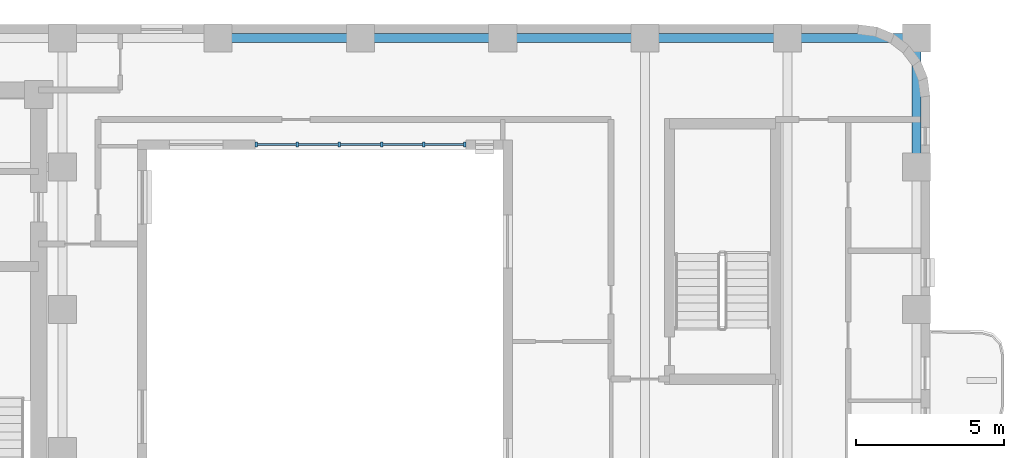
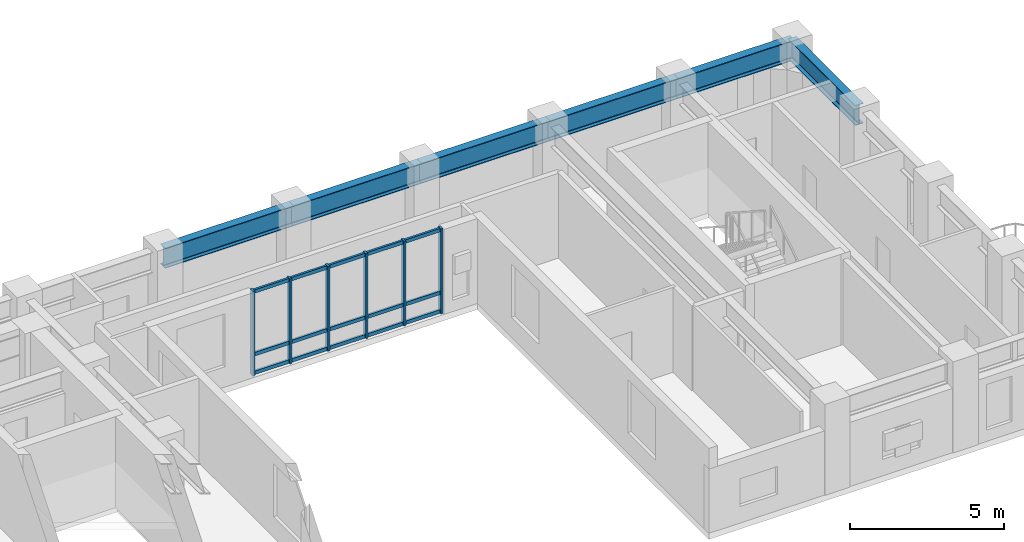
# One storey, part 2 of 11: 21 members, 6 beams, 1 element without a shape of its own.
"""IFC4 building model written with IfcOpenShell, lengths in metres."""

from ifc_helpers import new_model, si_unit, direction, frame, origin, origin_2d, place, context, subcontext, project, spatial, rectangle, i_section, extrude, material, material_profile, profile_set, type_object, element, aggregate, save


model = new_model("IFC4")

# Units and contexts
model_context = context("Model", 3, precision=1e-05, world=origin(), true_north=direction((0.0, 1.0)))
body_context = subcontext(model_context, "Body", "Model", "MODEL_VIEW")
ifc_project = project(units=[si_unit("LENGTHUNIT", "METRE"), si_unit("AREAUNIT", "SQUARE_METRE"), si_unit("VOLUMEUNIT", "CUBIC_METRE"), si_unit("PLANEANGLEUNIT", "RADIAN"), si_unit("MASSUNIT", "GRAM", prefix="KILO")], contexts=[model_context])

# Site, building, storey
site_placement = place(None, origin())
site = spatial("IfcSite", under=ifc_project, at=site_placement, CompositionType="ELEMENT")
building_placement = place(site_placement, origin())
building = spatial("IfcBuilding", under=site, at=building_placement, Name="Orvandelia Arch Residences", CompositionType="ELEMENT")
storey_placement = place(building_placement, frame((0.0, 0.0, 157.60009765625)))
storey = spatial("IfcBuildingStorey", under=building, at=storey_placement, Name="L41", CompositionType="ELEMENT", Elevation=157.60009765625)

# Beams
ifc_material_1 = material(Name="Structural Steel SM355 (355 MPa)", Category="steel")
ifc_material_profile_1 = material_profile(ifc_material_1, i_section(OverallWidth=0.300048828125, OverallDepth=0.800048828125, WebThickness=0.013916015625, FlangeThickness=0.02587890625, FilletRadius=0.02587890625, at=origin_2d()), Name="Structural Steel SM355 (355 MPa)", Category="steel")
ifc_profile_set_1 = profile_set([ifc_material_profile_1], Name="Structural Steel SM355 (355 MPa)")
beam_type = type_object("IfcBeamType", Name="BM-GRD-H800", PredefinedType="BEAM", material=ifc_profile_set_1)
beam_1_placement = place(storey_placement, frame((52.35009765625, 43.199951171875, 2.9599609375), z_axis=(0.0, 1.0, 0.0), x_axis=(-1.0, 0.0, 0.0)))
element("IfcBeam", 1, at=beam_1_placement, inside=storey, type_object=beam_type, Name="Structural Frame Beam L41-NS-021", PredefinedType="BEAM", context=body_context, shape_type="SweptSolid", body=[
    extrude(i_section(OverallWidth=0.300048828125, OverallDepth=0.800048828125, WebThickness=0.013916015625, FlangeThickness=0.02587890625, FilletRadius=0.02587890625, at=origin_2d()), origin(), (0.0, 0.0, 1.0), 4.35009765625),
])
beam_2_placement = place(storey_placement, frame((28.800048828125, 47.550048828125, 2.9599609375), z_axis=(1.0, 0.0, 0.0), x_axis=(0.0, 1.0, 0.0)))
element("IfcBeam", 2, at=beam_2_placement, inside=storey, type_object=beam_type, Name="Structural Frame Girder L41-EW-039", PredefinedType="BEAM", context=body_context, shape_type="SweptSolid", body=[
    extrude(i_section(OverallWidth=0.300048828125, OverallDepth=0.800048828125, WebThickness=0.013916015625, FlangeThickness=0.02587890625, FilletRadius=0.02587890625, at=origin_2d()), origin(), (0.0, 0.0, 1.0), 4.800048828125),
])
beam_3_placement = place(storey_placement, frame((33.60009765625, 47.550048828125, 2.9599609375), z_axis=(1.0, 0.0, 0.0), x_axis=(0.0, 1.0, 0.0)))
element("IfcBeam", 3, at=beam_3_placement, inside=storey, type_object=beam_type, Name="Structural Frame Girder L41-EW-040", PredefinedType="BEAM", context=body_context, shape_type="SweptSolid", body=[
    extrude(i_section(OverallWidth=0.300048828125, OverallDepth=0.800048828125, WebThickness=0.013916015625, FlangeThickness=0.02587890625, FilletRadius=0.02587890625, at=origin_2d()), origin(), (0.0, 0.0, 1.0), 4.7998046875),
])
for number, where, z_axis, x_axis, name in (
    (4, (38.39990234375, 47.550048828125, 2.9599609375), (1.0, 0.0, 0.0), (0.0, 1.0, 0.0), "Structural Frame Girder L41-EW-041"),
    (5, (43.199951171875, 47.550048828125, 2.9599609375), (1.0, 0.0, 0.0), (0.0, 1.0, 0.0), "Structural Frame Girder L41-EW-042"),
):
    element("IfcBeam", number, at=place(storey_placement, frame(where, z_axis=z_axis, x_axis=x_axis)), inside=storey, type_object=beam_type, Name=name, PredefinedType="BEAM", context=body_context, shape_type="SweptSolid", body=[
        extrude(i_section(OverallWidth=0.300048828125, OverallDepth=0.800048828125, WebThickness=0.013916015625, FlangeThickness=0.02587890625, FilletRadius=0.02587890625, at=origin_2d()), origin(), (0.0, 0.0, 1.0), 4.800048828125),
    ])
beam_4_placement = place(storey_placement, frame((48.0, 47.550048828125, 2.9599609375), z_axis=(1.0, 0.0, 0.0), x_axis=(0.0, 1.0, 0.0)))
element("IfcBeam", 6, at=beam_4_placement, inside=storey, type_object=beam_type, Name="Structural Frame Girder L41-EW-043", PredefinedType="BEAM", context=body_context, shape_type="SweptSolid", body=[
    extrude(i_section(OverallWidth=0.300048828125, OverallDepth=0.800048828125, WebThickness=0.013916015625, FlangeThickness=0.02587890625, FilletRadius=0.02587890625, at=origin_2d()), origin(), (0.0, 0.0, 1.0), 4.35009765625),
])

# Curtain wall, members
ifc_material_2 = material(Name="Anodised Bronze Curtain Wall Assembly")
curtain_wall_type = type_object("IfcCurtainWallType", Name="CW-SYS4-PORTAL", PredefinedType="NOTDEFINED", material=ifc_material_2)
curtain_wall_placement = place(storey_placement, origin())
curtain_wall = element("IfcCurtainWall", 7, at=curtain_wall_placement, inside=storey, type_object=curtain_wall_type, Name="Void-Portal Bridge Curtain Wall L41 1", PredefinedType="NOTDEFINED")
ifc_material_3 = material(Name="Anodised Aluminium Alloy 6063-T6", Category="aluminium")
ifc_material_profile_2 = material_profile(ifc_material_3, rectangle(XDim=0.080078125, YDim=0.179931640625, at=origin_2d()), Name="Anodised Aluminium Alloy 6063-T6", Category="aluminium")
ifc_profile_set_2 = profile_set([ifc_material_profile_2], Name="Anodised Aluminium Alloy 6063-T6")
member_type_1 = type_object("IfcMemberType", Name="CW-MULLION-80x160", PredefinedType="MULLION", material=ifc_profile_set_2)
member_1_placement = place(storey_placement, frame((30.080078125, 43.9599609375, 0.0), z_axis=(0.0, 0.0, 1.0), x_axis=(1.0, 0.0, 0.0)))
member_1 = element("IfcMember", 8, at=member_1_placement, type_object=member_type_1, Name="Curtain Wall Mullion CW-L41-1-M1", PredefinedType="MULLION", context=body_context, shape_type="SweptSolid", body=[
    extrude(rectangle(XDim=0.080078125, YDim=0.179931640625, at=origin_2d()), origin(), (0.0, 0.0, 1.0), 3.35986328125),
])
member_2_placement = place(storey_placement, frame((31.464111328125, 43.9599609375, 0.0), z_axis=(0.0, 0.0, 1.0), x_axis=(1.0, 0.0, 0.0)))
member_2 = element("IfcMember", 9, at=member_2_placement, type_object=member_type_1, Name="Curtain Wall Mullion CW-L41-1-M2", PredefinedType="MULLION", context=body_context, shape_type="SweptSolid", body=[
    extrude(rectangle(XDim=0.080078125, YDim=0.179931640625, at=origin_2d()), origin(), (0.0, 0.0, 1.0), 3.35986328125),
])
member_3_placement = place(storey_placement, frame((32.887939453125, 43.9599609375, 0.0), z_axis=(0.0, 0.0, 1.0), x_axis=(1.0, 0.0, 0.0)))
member_3 = element("IfcMember", 10, at=member_3_placement, type_object=member_type_1, Name="Curtain Wall Mullion CW-L41-1-M3", PredefinedType="MULLION", context=body_context, shape_type="SweptSolid", body=[
    extrude(rectangle(XDim=0.080078125, YDim=0.179931640625, at=origin_2d()), origin(), (0.0, 0.0, 1.0), 3.35986328125),
])
member_4_placement = place(storey_placement, frame((34.31201171875, 43.9599609375, 0.0), z_axis=(0.0, 0.0, 1.0), x_axis=(1.0, 0.0, 0.0)))
member_4 = element("IfcMember", 11, at=member_4_placement, type_object=member_type_1, Name="Curtain Wall Mullion CW-L41-1-M4", PredefinedType="MULLION", context=body_context, shape_type="SweptSolid", body=[
    extrude(rectangle(XDim=0.080078125, YDim=0.179931640625, at=origin_2d()), origin(), (0.0, 0.0, 1.0), 3.35986328125),
])
member_5_placement = place(storey_placement, frame((35.736083984375, 43.9599609375, 0.0), z_axis=(0.0, 0.0, 1.0), x_axis=(1.0, 0.0, 0.0)))
member_5 = element("IfcMember", 12, at=member_5_placement, type_object=member_type_1, Name="Curtain Wall Mullion CW-L41-1-M5", PredefinedType="MULLION", context=body_context, shape_type="SweptSolid", body=[
    extrude(rectangle(XDim=0.080078125, YDim=0.179931640625, at=origin_2d()), origin(), (0.0, 0.0, 1.0), 3.35986328125),
])
member_6_placement = place(storey_placement, frame((37.1201171875, 43.9599609375, 0.0), z_axis=(0.0, 0.0, 1.0), x_axis=(1.0, 0.0, 0.0)))
member_6 = element("IfcMember", 13, at=member_6_placement, type_object=member_type_1, Name="Curtain Wall Mullion CW-L41-1-M6", PredefinedType="MULLION", context=body_context, shape_type="SweptSolid", body=[
    extrude(rectangle(XDim=0.080078125, YDim=0.179931640625, at=origin_2d()), origin(), (0.0, 0.0, 1.0), 3.35986328125),
])
ifc_material_profile_3 = material_profile(ifc_material_3, rectangle(XDim=0.080078125, YDim=0.139892578125, at=origin_2d()), Name="Anodised Aluminium Alloy 6063-T6", Category="aluminium")
ifc_profile_set_3 = profile_set([ifc_material_profile_3], Name="Anodised Aluminium Alloy 6063-T6")
member_type_2 = type_object("IfcMemberType", Name="CW-TRANSOM-80x140", PredefinedType="USERDEFINED", material=ifc_profile_set_3)
member_7_placement = place(storey_placement, frame((30.10498046875, 43.9599609375, 0.06982421875), z_axis=(1.0, 0.0, 0.0), x_axis=(0.0, 1.0, 0.0)))
member_7 = element("IfcMember", 14, at=member_7_placement, type_object=member_type_2, Name="Curtain Wall Transom CW-L41-1-T1-1", ObjectType="TRANSOM", PredefinedType="USERDEFINED", context=body_context, shape_type="SweptSolid", body=[
    extrude(rectangle(XDim=0.080078125, YDim=0.139892578125, at=origin_2d()), origin(), (0.0, 0.0, 1.0), 1.333984375),
])
member_8_placement = place(storey_placement, frame((30.10498046875, 43.9599609375, 0.806396484375), z_axis=(1.0, 0.0, 0.0), x_axis=(0.0, 1.0, 0.0)))
member_8 = element("IfcMember", 15, at=member_8_placement, type_object=member_type_2, Name="Curtain Wall Transom CW-L41-1-T1-2", ObjectType="TRANSOM", PredefinedType="USERDEFINED", context=body_context, shape_type="SweptSolid", body=[
    extrude(rectangle(XDim=0.080078125, YDim=0.139892578125, at=origin_2d()), origin(), (0.0, 0.0, 1.0), 1.333984375),
])
member_9_placement = place(storey_placement, frame((30.10498046875, 43.9599609375, 3.289794921875), z_axis=(1.0, 0.0, 0.0), x_axis=(0.0, 1.0, 0.0)))
member_9 = element("IfcMember", 16, at=member_9_placement, type_object=member_type_2, Name="Curtain Wall Transom CW-L41-1-T1-3", ObjectType="TRANSOM", PredefinedType="USERDEFINED", context=body_context, shape_type="SweptSolid", body=[
    extrude(rectangle(XDim=0.080078125, YDim=0.139892578125, at=origin_2d()), origin(), (0.0, 0.0, 1.0), 1.333984375),
])
member_10_placement = place(storey_placement, frame((31.489013671875, 43.9599609375, 0.06982421875), z_axis=(1.0, 0.0, 0.0), x_axis=(0.0, 1.0, 0.0)))
member_10 = element("IfcMember", 17, at=member_10_placement, type_object=member_type_2, Name="Curtain Wall Transom CW-L41-1-T2-1", ObjectType="TRANSOM", PredefinedType="USERDEFINED", context=body_context, shape_type="SweptSolid", body=[
    extrude(rectangle(XDim=0.080078125, YDim=0.139892578125, at=origin_2d()), origin(), (0.0, 0.0, 1.0), 1.3740234375),
])
member_11_placement = place(storey_placement, frame((31.489013671875, 43.9599609375, 0.806396484375), z_axis=(1.0, 0.0, 0.0), x_axis=(0.0, 1.0, 0.0)))
member_11 = element("IfcMember", 18, at=member_11_placement, type_object=member_type_2, Name="Curtain Wall Transom CW-L41-1-T2-2", ObjectType="TRANSOM", PredefinedType="USERDEFINED", context=body_context, shape_type="SweptSolid", body=[
    extrude(rectangle(XDim=0.080078125, YDim=0.139892578125, at=origin_2d()), origin(), (0.0, 0.0, 1.0), 1.3740234375),
])
member_12_placement = place(storey_placement, frame((31.489013671875, 43.9599609375, 3.289794921875), z_axis=(1.0, 0.0, 0.0), x_axis=(0.0, 1.0, 0.0)))
member_12 = element("IfcMember", 19, at=member_12_placement, type_object=member_type_2, Name="Curtain Wall Transom CW-L41-1-T2-3", ObjectType="TRANSOM", PredefinedType="USERDEFINED", context=body_context, shape_type="SweptSolid", body=[
    extrude(rectangle(XDim=0.080078125, YDim=0.139892578125, at=origin_2d()), origin(), (0.0, 0.0, 1.0), 1.3740234375),
])
member_13_placement = place(storey_placement, frame((32.9130859375, 43.9599609375, 0.06982421875), z_axis=(1.0, 0.0, 0.0), x_axis=(0.0, 1.0, 0.0)))
member_13 = element("IfcMember", 20, at=member_13_placement, type_object=member_type_2, Name="Curtain Wall Transom CW-L41-1-T3-1", ObjectType="TRANSOM", PredefinedType="USERDEFINED", context=body_context, shape_type="SweptSolid", body=[
    extrude(rectangle(XDim=0.080078125, YDim=0.139892578125, at=origin_2d()), origin(), (0.0, 0.0, 1.0), 1.3740234375),
])
member_14_placement = place(storey_placement, frame((32.9130859375, 43.9599609375, 0.806396484375), z_axis=(1.0, 0.0, 0.0), x_axis=(0.0, 1.0, 0.0)))
member_14 = element("IfcMember", 21, at=member_14_placement, type_object=member_type_2, Name="Curtain Wall Transom CW-L41-1-T3-2", ObjectType="TRANSOM", PredefinedType="USERDEFINED", context=body_context, shape_type="SweptSolid", body=[
    extrude(rectangle(XDim=0.080078125, YDim=0.139892578125, at=origin_2d()), origin(), (0.0, 0.0, 1.0), 1.3740234375),
])
member_15_placement = place(storey_placement, frame((32.9130859375, 43.9599609375, 3.289794921875), z_axis=(1.0, 0.0, 0.0), x_axis=(0.0, 1.0, 0.0)))
member_15 = element("IfcMember", 22, at=member_15_placement, type_object=member_type_2, Name="Curtain Wall Transom CW-L41-1-T3-3", ObjectType="TRANSOM", PredefinedType="USERDEFINED", context=body_context, shape_type="SweptSolid", body=[
    extrude(rectangle(XDim=0.080078125, YDim=0.139892578125, at=origin_2d()), origin(), (0.0, 0.0, 1.0), 1.3740234375),
])
member_16_placement = place(storey_placement, frame((34.3369140625, 43.9599609375, 0.06982421875), z_axis=(1.0, 0.0, 0.0), x_axis=(0.0, 1.0, 0.0)))
member_16 = element("IfcMember", 23, at=member_16_placement, type_object=member_type_2, Name="Curtain Wall Transom CW-L41-1-T4-1", ObjectType="TRANSOM", PredefinedType="USERDEFINED", context=body_context, shape_type="SweptSolid", body=[
    extrude(rectangle(XDim=0.080078125, YDim=0.139892578125, at=origin_2d()), origin(), (0.0, 0.0, 1.0), 1.3740234375),
])
member_17_placement = place(storey_placement, frame((34.3369140625, 43.9599609375, 0.806396484375), z_axis=(1.0, 0.0, 0.0), x_axis=(0.0, 1.0, 0.0)))
member_17 = element("IfcMember", 24, at=member_17_placement, type_object=member_type_2, Name="Curtain Wall Transom CW-L41-1-T4-2", ObjectType="TRANSOM", PredefinedType="USERDEFINED", context=body_context, shape_type="SweptSolid", body=[
    extrude(rectangle(XDim=0.080078125, YDim=0.139892578125, at=origin_2d()), origin(), (0.0, 0.0, 1.0), 1.3740234375),
])
member_18_placement = place(storey_placement, frame((34.3369140625, 43.9599609375, 3.289794921875), z_axis=(1.0, 0.0, 0.0), x_axis=(0.0, 1.0, 0.0)))
member_18 = element("IfcMember", 25, at=member_18_placement, type_object=member_type_2, Name="Curtain Wall Transom CW-L41-1-T4-3", ObjectType="TRANSOM", PredefinedType="USERDEFINED", context=body_context, shape_type="SweptSolid", body=[
    extrude(rectangle(XDim=0.080078125, YDim=0.139892578125, at=origin_2d()), origin(), (0.0, 0.0, 1.0), 1.3740234375),
])
member_19_placement = place(storey_placement, frame((35.760986328125, 43.9599609375, 0.06982421875), z_axis=(1.0, 0.0, 0.0), x_axis=(0.0, 1.0, 0.0)))
member_19 = element("IfcMember", 26, at=member_19_placement, type_object=member_type_2, Name="Curtain Wall Transom CW-L41-1-T5-1", ObjectType="TRANSOM", PredefinedType="USERDEFINED", context=body_context, shape_type="SweptSolid", body=[
    extrude(rectangle(XDim=0.080078125, YDim=0.139892578125, at=origin_2d()), origin(), (0.0, 0.0, 1.0), 1.333984375),
])
member_20_placement = place(storey_placement, frame((35.760986328125, 43.9599609375, 0.806396484375), z_axis=(1.0, 0.0, 0.0), x_axis=(0.0, 1.0, 0.0)))
member_20 = element("IfcMember", 27, at=member_20_placement, type_object=member_type_2, Name="Curtain Wall Transom CW-L41-1-T5-2", ObjectType="TRANSOM", PredefinedType="USERDEFINED", context=body_context, shape_type="SweptSolid", body=[
    extrude(rectangle(XDim=0.080078125, YDim=0.139892578125, at=origin_2d()), origin(), (0.0, 0.0, 1.0), 1.333984375),
])
member_21_placement = place(storey_placement, frame((35.760986328125, 43.9599609375, 3.289794921875), z_axis=(1.0, 0.0, 0.0), x_axis=(0.0, 1.0, 0.0)))
member_21 = element("IfcMember", 28, at=member_21_placement, type_object=member_type_2, Name="Curtain Wall Transom CW-L41-1-T5-3", ObjectType="TRANSOM", PredefinedType="USERDEFINED", context=body_context, shape_type="SweptSolid", body=[
    extrude(rectangle(XDim=0.080078125, YDim=0.139892578125, at=origin_2d()), origin(), (0.0, 0.0, 1.0), 1.333984375),
])
aggregate(curtain_wall, [member_1, member_2, member_3, member_4, member_5, member_6, member_7, member_8, member_9, member_10, member_11, member_12, member_13, member_14, member_15, member_16, member_17, member_18, member_19, member_20, member_21])

save(model, "model.ifc")
